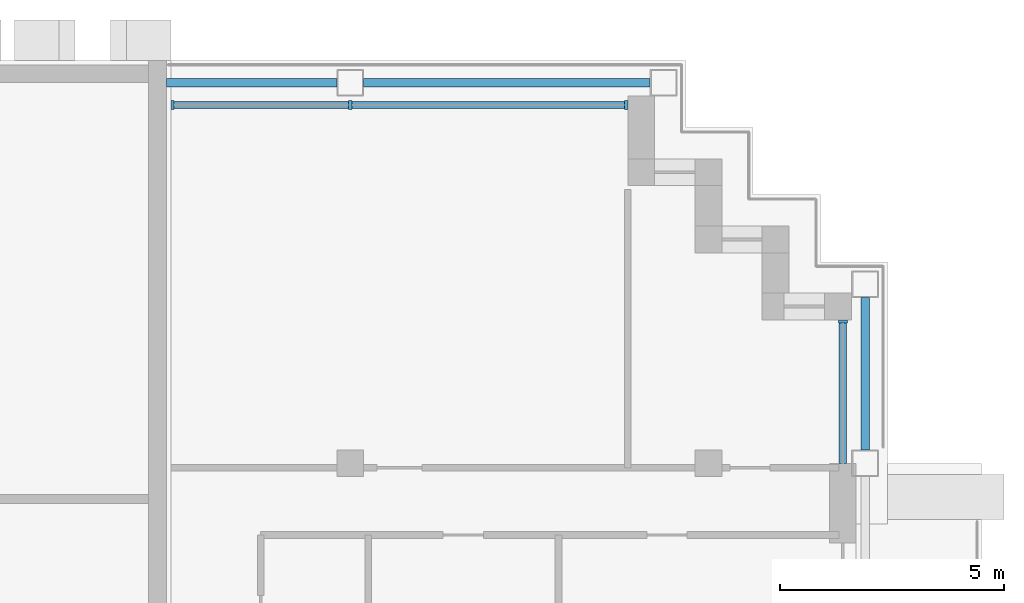
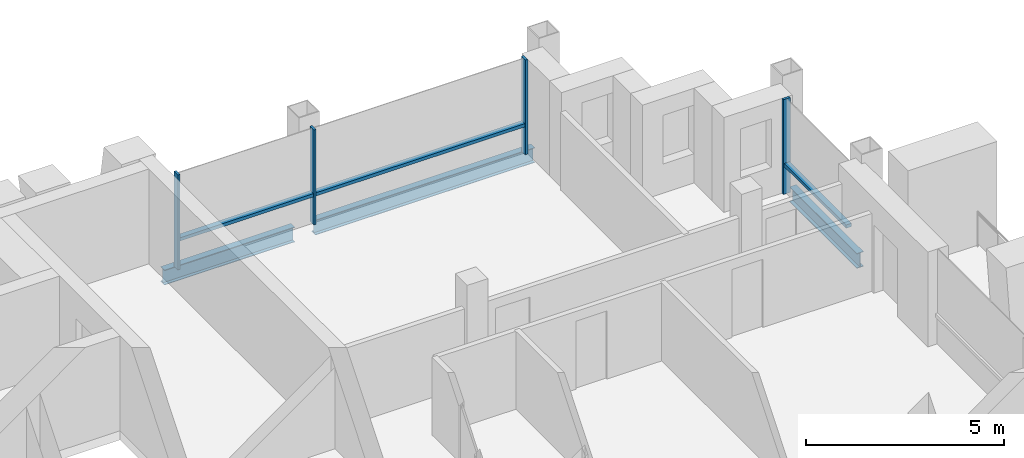
# One storey, part 5 of 15: 7 members, 3 beams, 2 elements without a shape of their own.
"""IFC4 building model written with IfcOpenShell, lengths in metres."""

from ifc_helpers import new_model, si_unit, direction, frame, origin, origin_2d, place, context, subcontext, project, spatial, rectangle, i_section, extrude, material, material_profile, profile_set, type_object, element, aggregate, save


model = new_model("IFC4")

# Units and contexts
model_context = context("Model", 3, precision=1e-05, world=origin(), true_north=direction((0.0, 1.0)))
body_context = subcontext(model_context, "Body", "Model", "MODEL_VIEW")
ifc_project = project(units=[si_unit("LENGTHUNIT", "METRE"), si_unit("AREAUNIT", "SQUARE_METRE"), si_unit("VOLUMEUNIT", "CUBIC_METRE"), si_unit("PLANEANGLEUNIT", "RADIAN"), si_unit("MASSUNIT", "GRAM", prefix="KILO")], contexts=[model_context])

# Site, building, storey
site_placement = place(None, origin())
site = spatial("IfcSite", under=ifc_project, at=site_placement, CompositionType="ELEMENT")
building_placement = place(site_placement, origin())
building = spatial("IfcBuilding", under=site, at=building_placement, Name="Vidyagriha Tower", CompositionType="ELEMENT")
storey_placement = place(building_placement, frame((0.0, 0.0, 226.800048828125)))
storey = spatial("IfcBuildingStorey", under=building, at=storey_placement, Name="L59", CompositionType="ELEMENT", Elevation=226.800048828125)

# Beams
ifc_material_1 = material(Name="Steel ASTM A992 Grade 50", Category="steel")
ifc_material_profile_1 = material_profile(ifc_material_1, i_section(OverallWidth=0.19189453125, OverallDepth=0.46240234375, WebThickness=0.010498046875, FlangeThickness=0.017578125, at=origin_2d()), Name="W18X60")
ifc_profile_set_1 = profile_set([ifc_material_profile_1], Name="Steel ASTM A992 Grade 50")
beam_type = type_object("IfcBeamType", Name="Edge beam W18X60", PredefinedType="SPANDREL", material=ifc_profile_set_1)
beam_1_placement = place(storey_placement, frame((29.5, 11.300048828125, -0.51123046875), z_axis=(0.0, 1.0, 0.0), x_axis=(-1.0, 0.0, 0.0)))
element("IfcBeam", 1, at=beam_1_placement, inside=storey, type_object=beam_type, Name="st-beam-L59-E17", PredefinedType="SPANDREL", context=body_context, shape_type="SweptSolid", body=[
    extrude(i_section(OverallWidth=0.19189453125, OverallDepth=0.46240234375, WebThickness=0.010498046875, FlangeThickness=0.017578125, at=origin_2d()), origin(), (0.0, 0.0, 1.0), 3.39990234375),
])
beam_2_placement = place(storey_placement, frame((18.300048828125, 19.5, -0.51123046875), z_axis=(1.0, 0.0, 0.0), x_axis=(0.0, 1.0, 0.0)))
element("IfcBeam", 2, at=beam_2_placement, inside=storey, type_object=beam_type, Name="st-beam-L59-NE19", PredefinedType="SPANDREL", context=body_context, shape_type="SweptSolid", body=[
    extrude(i_section(OverallWidth=0.19189453125, OverallDepth=0.46240234375, WebThickness=0.010498046875, FlangeThickness=0.017578125, at=origin_2d()), origin(), (0.0, 0.0, 1.0), 6.39990234375),
])
beam_3_placement = place(storey_placement, frame((13.89990234375, 19.5, -0.51123046875), z_axis=(1.0, 0.0, 0.0), x_axis=(0.0, 1.0, 0.0)))
element("IfcBeam", 3, at=beam_3_placement, inside=storey, type_object=beam_type, Name="st-beam-L59-NC21", PredefinedType="SPANDREL", context=body_context, shape_type="SweptSolid", body=[
    extrude(i_section(OverallWidth=0.19189453125, OverallDepth=0.46240234375, WebThickness=0.010498046875, FlangeThickness=0.017578125, at=origin_2d()), origin(), (0.0, 0.0, 1.0), 3.800048828125),
])

# Curtain wall, members
ifc_material_2 = material(Name="Aluminium and glass curtain wall", Category="aluminium")
curtain_wall_type = type_object("IfcCurtainWallType", Name="Dwelling skin unitised curtain wall", PredefinedType="USERDEFINED", material=ifc_material_2)
curtain_wall_1_placement = place(storey_placement, origin())
curtain_wall_1 = element("IfcCurtainWall", 4, at=curtain_wall_1_placement, inside=storey, type_object=curtain_wall_type, Name="CW1 dwelling skin", ObjectType="UNITISED", PredefinedType="USERDEFINED")
ifc_material_3 = material(Name="Aluminium black anodised", Category="aluminium")
ifc_material_profile_2 = material_profile(ifc_material_3, rectangle(XDim=0.199951171875, YDim=0.070068359375, at=origin_2d()), Name="Mullion 70x200 black aluminium")
ifc_profile_set_2 = profile_set([ifc_material_profile_2], Name="Aluminium black anodised")
member_type_1 = type_object("IfcMemberType", Name="Mullion 70x200 black aluminium", PredefinedType="MULLION", material=ifc_profile_set_2)
member_1_placement = place(storey_placement, frame((24.1650390625, 19.0, 0.0), z_axis=(0.0, 0.0, 1.0), x_axis=(0.0, -1.0, 0.0)))
member_1 = element("IfcMember", 5, at=member_1_placement, type_object=member_type_1, Name="CW1 mullion 1", PredefinedType="MULLION", context=body_context, shape_type="SweptSolid", body=[
    extrude(rectangle(XDim=0.199951171875, YDim=0.070068359375, at=origin_2d()), origin(), (0.0, 0.0, 1.0), 2.919921875),
])
member_2_placement = place(storey_placement, frame((18.0, 19.0, 0.0), z_axis=(0.0, 0.0, 1.0), x_axis=(0.0, -1.0, 0.0)))
member_2 = element("IfcMember", 6, at=member_2_placement, type_object=member_type_1, Name="CW1 mullion 2", PredefinedType="MULLION", context=body_context, shape_type="SweptSolid", body=[
    extrude(rectangle(XDim=0.199951171875, YDim=0.070068359375, at=origin_2d()), origin(), (0.0, 0.0, 1.0), 2.919921875),
])
member_3_placement = place(storey_placement, frame((14.034912109375, 19.0, 0.0), z_axis=(0.0, 0.0, 1.0), x_axis=(0.0, -1.0, 0.0)))
member_3 = element("IfcMember", 7, at=member_3_placement, type_object=member_type_1, Name="CW1 mullion 3", PredefinedType="MULLION", context=body_context, shape_type="SweptSolid", body=[
    extrude(rectangle(XDim=0.199951171875, YDim=0.070068359375, at=origin_2d()), origin(), (0.0, 0.0, 1.0), 2.919921875),
])

# Curtain wall, member
curtain_wall_2_placement = place(storey_placement, origin())
curtain_wall_2 = element("IfcCurtainWall", 8, at=curtain_wall_2_placement, inside=storey, type_object=curtain_wall_type, Name="CW1 dwelling skin", ObjectType="UNITISED", PredefinedType="USERDEFINED")
member_4_placement = place(storey_placement, frame((29.0, 14.1650390625, 0.0), z_axis=(0.0, 0.0, 1.0), x_axis=(-1.0, 0.0, 0.0)))
member_4 = element("IfcMember", 9, at=member_4_placement, type_object=member_type_1, Name="CW1 mullion 2", PredefinedType="MULLION", context=body_context, shape_type="SweptSolid", body=[
    extrude(rectangle(XDim=0.199951171875, YDim=0.070068359375, at=origin_2d()), origin(), (0.0, 0.0, 1.0), 2.919921875),
])

# Member
ifc_material_4 = material(Name="Aluminium black anodised", Category="aluminium")
ifc_material_profile_3 = material_profile(ifc_material_4, rectangle(XDim=0.159912109375, YDim=0.10009765625, at=origin_2d()), Name="Transom 100x160 black aluminium")
ifc_profile_set_3 = profile_set([ifc_material_profile_3], Name="Aluminium black anodised")
member_type_2 = type_object("IfcMemberType", Name="Transom 100x160 black aluminium", PredefinedType="USERDEFINED", material=ifc_profile_set_3)
member_5_placement = place(storey_placement, frame((24.1298828125, 19.0, 0.89990234375), z_axis=(-1.0, 0.0, 0.0), x_axis=(0.0, -1.0, 0.0)))
member_5 = element("IfcMember", 10, at=member_5_placement, type_object=member_type_2, Name="CW1 transom 1.1", ObjectType="TRANSOM", PredefinedType="USERDEFINED", context=body_context, shape_type="SweptSolid", body=[
    extrude(rectangle(XDim=0.159912109375, YDim=0.10009765625, at=origin_2d()), origin(), (0.0, 0.0, 1.0), 6.094970703125),
])

member_6_placement = place(storey_placement, frame((17.965087890625, 19.0, 0.89990234375), z_axis=(-1.0, 0.0, 0.0), x_axis=(0.0, -1.0, 0.0)))
member_6 = element("IfcMember", 11, at=member_6_placement, type_object=member_type_2, Name="CW1 transom 2.1", ObjectType="TRANSOM", PredefinedType="USERDEFINED", context=body_context, shape_type="SweptSolid", body=[
    extrude(rectangle(XDim=0.159912109375, YDim=0.10009765625, at=origin_2d()), origin(), (0.0, 0.0, 1.0), 3.89501953125),
])

aggregate(curtain_wall_1, [member_1, member_2, member_3, member_5, member_6])

member_7_placement = place(storey_placement, frame((29.0, 11.0, 0.89990234375), z_axis=(0.0, 1.0, 0.0), x_axis=(-1.0, 0.0, 0.0)))
member_7 = element("IfcMember", 12, at=member_7_placement, type_object=member_type_2, Name="CW1 transom 1.1", ObjectType="TRANSOM", PredefinedType="USERDEFINED", context=body_context, shape_type="SweptSolid", body=[
    extrude(rectangle(XDim=0.159912109375, YDim=0.10009765625, at=origin_2d()), origin(), (0.0, 0.0, 1.0), 3.1298828125),
])

aggregate(curtain_wall_2, [member_4, member_7])

save(model, "model.ifc")
